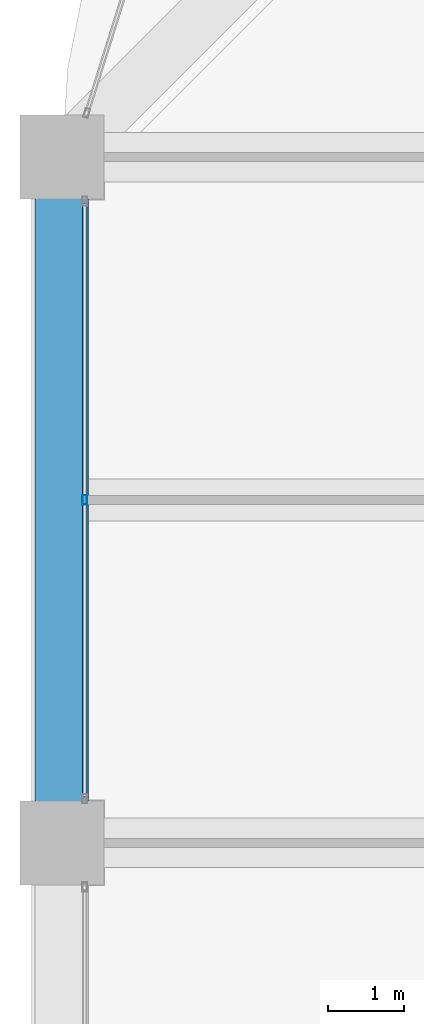
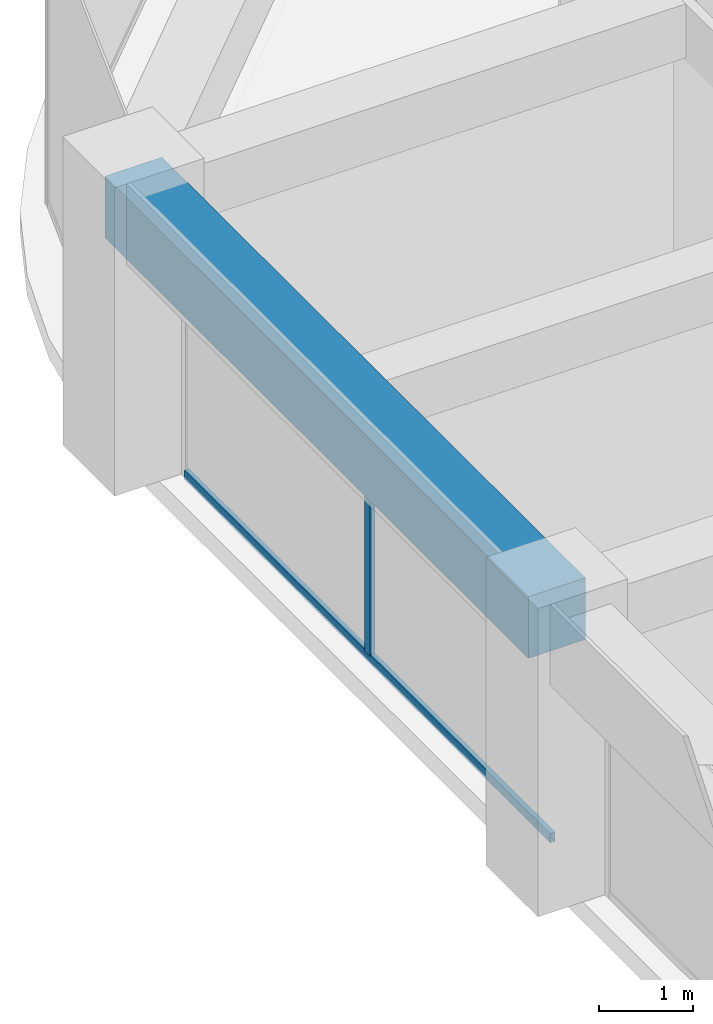
# One storey, part 16 of 44: 2 members, 1 beam, 1 element without a shape of its own.
"""IFC4 building model written with IfcOpenShell, lengths in metres."""

from ifc_helpers import new_model, si_unit, direction, frame, origin, origin_2d, place, context, subcontext, project, spatial, rectangle, hollow_rectangle, extrude, material, material_profile, profile_set, type_object, element, aggregate, save


model = new_model("IFC4")

# Units and contexts
model_context = context("Model", 3, precision=1e-05, world=origin(), true_north=direction((0.0, 1.0)))
body_context = subcontext(model_context, "Body", "Model", "MODEL_VIEW")
ifc_project = project(units=[si_unit("LENGTHUNIT", "METRE"), si_unit("AREAUNIT", "SQUARE_METRE"), si_unit("VOLUMEUNIT", "CUBIC_METRE"), si_unit("PLANEANGLEUNIT", "RADIAN"), si_unit("MASSUNIT", "GRAM", prefix="KILO")], contexts=[model_context])

# Site, building, storey
site_placement = place(None, origin())
site = spatial("IfcSite", under=ifc_project, at=site_placement, CompositionType="ELEMENT")
building_placement = place(site_placement, origin())
building = spatial("IfcBuilding", under=site, at=building_placement, Name="Zorevar Civic Tower", CompositionType="ELEMENT")
storey_placement = place(building_placement, frame((0.0, 0.0, 259.39990234375)))
storey = spatial("IfcBuildingStorey", under=building, at=storey_placement, Name="L63", CompositionType="ELEMENT", Elevation=259.39990234375)

# Curtain wall, members
ifc_material_1 = material(Name="Dark grey solar-control glass in black aluminium frame", Category="aluminium")
curtain_wall_type = type_object("IfcCurtainWallType", Name="Curtain wall CW5 top zone", PredefinedType="NOTDEFINED", material=ifc_material_1)
curtain_wall_placement = place(storey_placement, origin())
curtain_wall = element("IfcCurtainWall", 1, at=curtain_wall_placement, inside=storey, type_object=curtain_wall_type, Name="CW5 L63", PredefinedType="NOTDEFINED")
ifc_material_2 = material(Name="Aluminium, black anodised", Category="aluminium")
ifc_material_profile_1 = material_profile(ifc_material_2, hollow_rectangle(XDim=0.06005859375, YDim=0.1201171875, WallThickness=0.0029296875, at=origin_2d()), Name="AL 120x60x3")
ifc_profile_set_1 = profile_set([ifc_material_profile_1], Name="Aluminium, black anodised")
member_type_1 = type_object("IfcMemberType", Name="CW5 mullion AL 120x60x3", PredefinedType="MULLION", material=ifc_profile_set_1)
member_1_placement = place(storey_placement, frame((9.300048828125, 31.5, 0.06005859375), z_axis=(0.0, 0.0, 1.0), x_axis=(-1.0, 0.0, 0.0)))
member_1 = element("IfcMember", 2, at=member_1_placement, type_object=member_type_1, Name="CW5 mullion 2", PredefinedType="MULLION", context=body_context, shape_type="SweptSolid", body=[
    extrude(hollow_rectangle(XDim=0.06005859375, YDim=0.1201171875, WallThickness=0.0029296875, at=origin_2d()), origin(), (0.0, 0.0, 1.0), 2.89013671875),
])
ifc_material_3 = material(Name="Aluminium, black anodised", Category="aluminium")
ifc_material_profile_2 = material_profile(ifc_material_3, hollow_rectangle(XDim=0.06005859375, YDim=0.1201171875, WallThickness=0.0029296875, at=origin_2d()), Name="AL 120x60x3")
ifc_profile_set_2 = profile_set([ifc_material_profile_2], Name="Aluminium, black anodised")
member_type_2 = type_object("IfcMemberType", Name="CW5 transom AL 120x60x3", PredefinedType="USERDEFINED", material=ifc_profile_set_2)
member_2_placement = place(storey_placement, frame((9.300048828125, 27.610107421875, 0.030029296875), z_axis=(0.0, 1.0, 0.0), x_axis=(-1.0, 0.0, 0.0)))
member_2 = element("IfcMember", 3, at=member_2_placement, type_object=member_type_2, Name="CW5 sill transom", ObjectType="TRANSOM", PredefinedType="USERDEFINED", context=body_context, shape_type="SweptSolid", body=[
    extrude(hollow_rectangle(XDim=0.06005859375, YDim=0.1201171875, WallThickness=0.0029296875, at=origin_2d()), origin(), (0.0, 0.0, 1.0), 7.77978515625),
])
aggregate(curtain_wall, [member_1, member_2])

# Beam
ifc_material_4 = material(Name="Concrete C50/60", Category="concrete")
ifc_material_profile_3 = material_profile(ifc_material_4, rectangle(XDim=0.699951171875, YDim=0.800048828125, at=origin_2d()), Name="RC 700x800")
ifc_profile_set_3 = profile_set([ifc_material_profile_3], Name="Concrete C50/60")
beam_type = type_object("IfcBeamType", Name="Edge beam RC 700x800", PredefinedType="SPANDREL", material=ifc_profile_set_3)
beam_placement = place(storey_placement, frame((9.0, 27.0, 3.35009765625), z_axis=(0.0, 1.0, 0.0), x_axis=(-1.0, 0.0, 0.0)))
element("IfcBeam", 4, at=beam_placement, inside=storey, type_object=beam_type, Name="Edge beam L64", PredefinedType="SPANDREL", context=body_context, shape_type="SweptSolid", body=[
    extrude(rectangle(XDim=0.699951171875, YDim=0.800048828125, at=origin_2d()), origin(), (0.0, 0.0, 1.0), 9.0),
])

save(model, "model.ifc")
